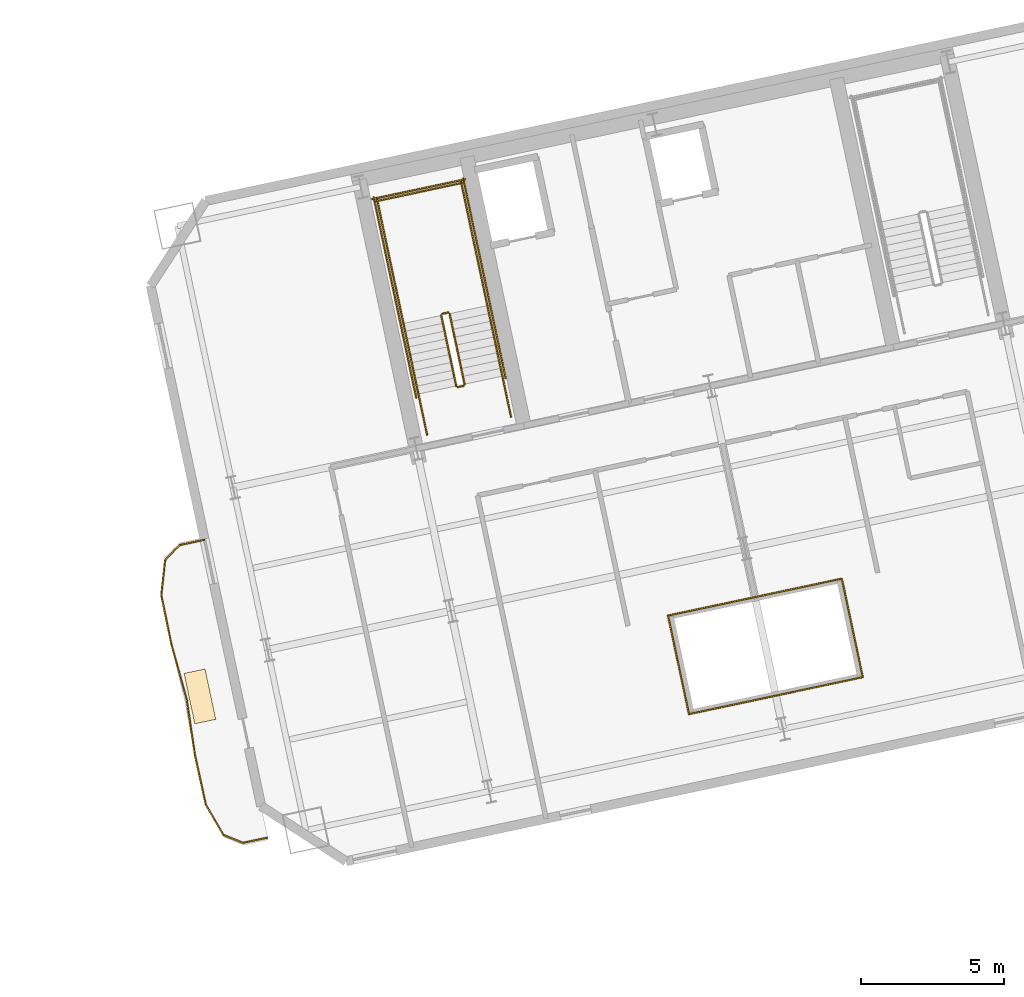
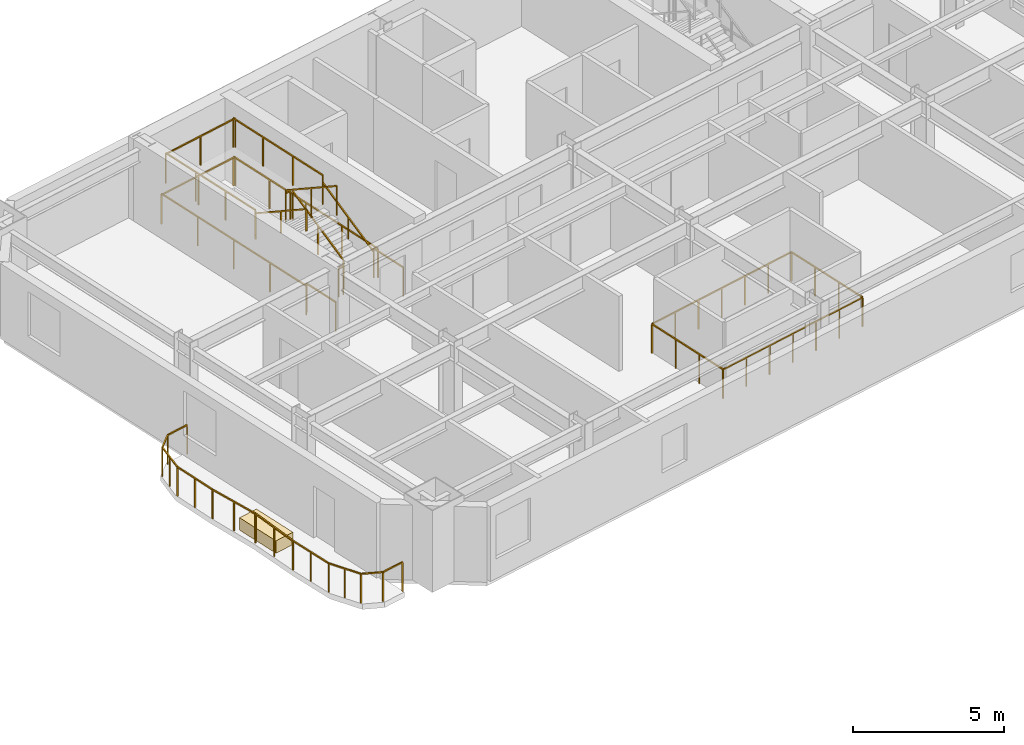
# One storey, part 13 of 14: 28 railings, 1 covering.
"""IFC4 building model written with IfcOpenShell, lengths in metres."""

from ifc_helpers import new_model, si_unit, direction, frame, origin, origin_2d, place, context, subcontext, project, spatial, rectangle, extrude, material, layer, layer_set, type_object, element, save


model = new_model("IFC4")

# Units and contexts
model_context = context("Model", 3, precision=1e-05, world=origin(), true_north=direction((0.0, 1.0)))
body_context = subcontext(model_context, "Body", "Model", "MODEL_VIEW")
ifc_project = project(units=[si_unit("LENGTHUNIT", "METRE"), si_unit("AREAUNIT", "SQUARE_METRE"), si_unit("VOLUMEUNIT", "CUBIC_METRE"), si_unit("PLANEANGLEUNIT", "RADIAN"), si_unit("MASSUNIT", "GRAM", prefix="KILO")], contexts=[model_context])

# Site, building, storey
site_placement = place(None, origin())
site = spatial("IfcSite", under=ifc_project, at=site_placement, CompositionType="ELEMENT")
building_placement = place(site_placement, origin())
building = spatial("IfcBuilding", under=site, at=building_placement, Name="Haevon Station Towers", CompositionType="ELEMENT")
storey_placement = place(building_placement, frame((0.0, 0.0, 119.699951171875)))
storey = spatial("IfcBuildingStorey", under=building, at=storey_placement, Name="L32", CompositionType="ELEMENT", Elevation=119.699951171875)

# Railings
ifc_material_1 = material(Name="Steel S355", Category="steel")
railing_type_1 = type_object("IfcRailingType", Name="BAL-ATR1200", PredefinedType="BALUSTRADE", material=ifc_material_1)
railing_1_placement = place(storey_placement, frame((108.28564453125, 28.16259765625, 0.0)))
element("IfcRailing", 1, at=railing_1_placement, inside=storey, type_object=railing_type_1, Name="L32 Atrium Void Balustrade 1", PredefinedType="BALUSTRADE", context=body_context, shape_type="SweptSolid", body=[
    extrude(rectangle(XDim=0.048095703125, YDim=0.048095703125, at=origin_2d()), frame((0.0, 0.0, 1.17578125), z_axis=(0.978152054879, 0.207890734609, 0.0), x_axis=(-0.207890734609, 0.978152054879, 0.0)), (0.0, 0.0, 1.0), 6.208984375),
    extrude(rectangle(XDim=0.0419921875, YDim=0.0419921875, at=origin_2d()), origin(), (0.0, 0.0, 1.0), 1.15185546875),
    extrude(rectangle(XDim=0.0419921875, YDim=0.0419921875, at=origin_2d()), frame((1.01220703125, 0.215087890625, 0.0)), (0.0, 0.0, 1.0), 1.15185546875),
    extrude(rectangle(XDim=0.0419921875, YDim=0.0419921875, at=origin_2d()), frame((2.0244140625, 0.43017578125, 0.0)), (0.0, 0.0, 1.0), 1.15185546875),
    extrude(rectangle(XDim=0.0419921875, YDim=0.0419921875, at=origin_2d()), frame((3.03662109375, 0.6455078125, 0.0)), (0.0, 0.0, 1.0), 1.15185546875),
    extrude(rectangle(XDim=0.0419921875, YDim=0.0419921875, at=origin_2d()), frame((4.048828125, 0.860595703125, 0.0)), (0.0, 0.0, 1.0), 1.15185546875),
    extrude(rectangle(XDim=0.0419921875, YDim=0.0419921875, at=origin_2d()), frame((5.06103515625, 1.07568359375, 0.0)), (0.0, 0.0, 1.0), 1.15185546875),
    extrude(rectangle(XDim=0.0419921875, YDim=0.0419921875, at=origin_2d()), frame((6.0732421875, 1.290771484375, 0.0)), (0.0, 0.0, 1.0), 1.15185546875),
])
railing_2_placement = place(storey_placement, frame((114.35888671875, 29.453369140625, 0.0)))
element("IfcRailing", 2, at=railing_2_placement, inside=storey, type_object=railing_type_1, Name="L32 Atrium Void Balustrade 2", PredefinedType="BALUSTRADE", context=body_context, shape_type="SweptSolid", body=[
    extrude(rectangle(XDim=0.048095703125, YDim=0.048095703125, at=origin_2d()), frame((0.0, 0.0, 1.17578125), z_axis=(-0.207964983384, 0.978136271532, 0.0), x_axis=(-0.978136271532, -0.207964983384, 0.0)), (0.0, 0.0, 1.0), 3.518310546875),
    extrude(rectangle(XDim=0.0419921875, YDim=0.0419921875, at=origin_2d()), origin(), (0.0, 0.0, 1.0), 1.15185546875),
    extrude(rectangle(XDim=0.0419921875, YDim=0.0419921875, at=origin_2d()), frame((-0.243896484375, 1.147216796875, 0.0)), (0.0, 0.0, 1.0), 1.15185546875),
    extrude(rectangle(XDim=0.0419921875, YDim=0.0419921875, at=origin_2d()), frame((-0.48779296875, 2.294189453125, 0.0)), (0.0, 0.0, 1.0), 1.15185546875),
    extrude(rectangle(XDim=0.0419921875, YDim=0.0419921875, at=origin_2d()), frame((-0.731689453125, 3.44140625, 0.0)), (0.0, 0.0, 1.0), 1.15185546875),
])
railing_3_placement = place(storey_placement, frame((113.627197265625, 32.894775390625, 0.0)))
element("IfcRailing", 3, at=railing_3_placement, inside=storey, type_object=railing_type_1, Name="L32 Atrium Void Balustrade 3", PredefinedType="BALUSTRADE", context=body_context, shape_type="SweptSolid", body=[
    extrude(rectangle(XDim=0.048095703125, YDim=0.048095703125, at=origin_2d()), frame((0.0, 0.0, 1.17578125), z_axis=(-0.978150355379, -0.20789873081, 0.0), x_axis=(0.20789873081, -0.978150355379, 0.0)), (0.0, 0.0, 1.0), 6.208740234375),
    extrude(rectangle(XDim=0.0419921875, YDim=0.0419921875, at=origin_2d()), origin(), (0.0, 0.0, 1.0), 1.15185546875),
    extrude(rectangle(XDim=0.0419921875, YDim=0.0419921875, at=origin_2d()), frame((-1.01220703125, -0.215087890625, 0.0)), (0.0, 0.0, 1.0), 1.15185546875),
    extrude(rectangle(XDim=0.0419921875, YDim=0.0419921875, at=origin_2d()), frame((-2.0244140625, -0.43017578125, 0.0)), (0.0, 0.0, 1.0), 1.15185546875),
    extrude(rectangle(XDim=0.0419921875, YDim=0.0419921875, at=origin_2d()), frame((-3.03662109375, -0.6455078125, 0.0)), (0.0, 0.0, 1.0), 1.15185546875),
    extrude(rectangle(XDim=0.0419921875, YDim=0.0419921875, at=origin_2d()), frame((-4.048583984375, -0.860595703125, 0.0)), (0.0, 0.0, 1.0), 1.15185546875),
    extrude(rectangle(XDim=0.0419921875, YDim=0.0419921875, at=origin_2d()), frame((-5.060791015625, -1.07568359375, 0.0)), (0.0, 0.0, 1.0), 1.15185546875),
    extrude(rectangle(XDim=0.0419921875, YDim=0.0419921875, at=origin_2d()), frame((-6.072998046875, -1.290771484375, 0.0)), (0.0, 0.0, 1.0), 1.15185546875),
])
railing_4_placement = place(storey_placement, frame((107.55419921875, 31.60400390625, 0.0)))
element("IfcRailing", 4, at=railing_4_placement, inside=storey, type_object=railing_type_1, Name="L32 Atrium Void Balustrade 4", PredefinedType="BALUSTRADE", context=body_context, shape_type="SweptSolid", body=[
    extrude(rectangle(XDim=0.048095703125, YDim=0.048095703125, at=origin_2d()), frame((0.0, 0.0, 1.17578125), z_axis=(0.207898592019, -0.978150384878, 0.0), x_axis=(0.978150384878, 0.207898592019, 0.0)), (0.0, 0.0, 1.0), 3.518310546875),
    extrude(rectangle(XDim=0.0419921875, YDim=0.0419921875, at=origin_2d()), origin(), (0.0, 0.0, 1.0), 1.15185546875),
    extrude(rectangle(XDim=0.0419921875, YDim=0.0419921875, at=origin_2d()), frame((0.243896484375, -1.147216796875, 0.0)), (0.0, 0.0, 1.0), 1.15185546875),
    extrude(rectangle(XDim=0.0419921875, YDim=0.0419921875, at=origin_2d()), frame((0.487548828125, -2.294189453125, 0.0)), (0.0, 0.0, 1.0), 1.15185546875),
    extrude(rectangle(XDim=0.0419921875, YDim=0.0419921875, at=origin_2d()), frame((0.7314453125, -3.44140625, 0.0)), (0.0, 0.0, 1.0), 1.15185546875),
])
railing_type_2 = type_object("IfcRailingType", Name="GRD-EXT1200", PredefinedType="GUARDRAIL", material=ifc_material_1)
railing_5_placement = place(storey_placement, frame((91.329833984375, 34.251708984375, 0.0)))
element("IfcRailing", 5, at=railing_5_placement, inside=storey, type_object=railing_type_2, Name="L32 Perimeter Guardrail 1", PredefinedType="GUARDRAIL", context=body_context, shape_type="SweptSolid", body=[
    extrude(rectangle(XDim=0.048095703125, YDim=0.048095703125, at=origin_2d()), frame((0.0, 0.0, 1.17578125), z_axis=(-0.977683060471, -0.210085299981, 0.0), x_axis=(0.210085299981, -0.977683060471, 0.0)), (0.0, 0.0, 1.0), 0.869140625),
    extrude(rectangle(XDim=0.0419921875, YDim=0.0419921875, at=origin_2d()), origin(), (0.0, 0.0, 1.0), 1.15185546875),
    extrude(rectangle(XDim=0.0419921875, YDim=0.0419921875, at=origin_2d()), frame((-0.849853515625, -0.1826171875, 0.0)), (0.0, 0.0, 1.0), 1.15185546875),
])
railing_6_placement = place(storey_placement, frame((90.47998046875, 34.069091796875, 0.0)))
element("IfcRailing", 6, at=railing_6_placement, inside=storey, type_object=railing_type_2, Name="L32 Perimeter Guardrail 2", PredefinedType="GUARDRAIL", context=body_context, shape_type="SweptSolid", body=[
    extrude(rectangle(XDim=0.048095703125, YDim=0.048095703125, at=origin_2d()), frame((0.0, 0.0, 1.17578125), z_axis=(-0.69332819678, -0.720621961607, 0.0), x_axis=(0.720621961607, -0.69332819678, 0.0)), (0.0, 0.0, 1.0), 0.7333984375),
    extrude(rectangle(XDim=0.0419921875, YDim=0.0419921875, at=origin_2d()), origin(), (0.0, 0.0, 1.0), 1.15185546875),
    extrude(rectangle(XDim=0.0419921875, YDim=0.0419921875, at=origin_2d()), frame((-0.508544921875, -0.528564453125, 0.0)), (0.0, 0.0, 1.0), 1.15185546875),
])
railing_7_placement = place(storey_placement, frame((89.971435546875, 33.54052734375, 0.0)))
element("IfcRailing", 7, at=railing_7_placement, inside=storey, type_object=railing_type_2, Name="L32 Perimeter Guardrail 3", PredefinedType="GUARDRAIL", context=body_context, shape_type="SweptSolid", body=[
    extrude(rectangle(XDim=0.048095703125, YDim=0.048095703125, at=origin_2d()), frame((0.0, 0.0, 1.17578125), z_axis=(-0.107863215948, -0.994165744051, 0.0), x_axis=(0.994165744051, -0.107863215948, 0.0)), (0.0, 0.0, 1.0), 1.231201171875),
    extrude(rectangle(XDim=0.0419921875, YDim=0.0419921875, at=origin_2d()), origin(), (0.0, 0.0, 1.0), 1.15185546875),
    extrude(rectangle(XDim=0.0419921875, YDim=0.0419921875, at=origin_2d()), frame((-0.06640625, -0.612060546875, 0.0)), (0.0, 0.0, 1.0), 1.15185546875),
    extrude(rectangle(XDim=0.0419921875, YDim=0.0419921875, at=origin_2d()), frame((-0.1328125, -1.22412109375, 0.0)), (0.0, 0.0, 1.0), 1.15185546875),
])
railing_8_placement = place(storey_placement, frame((89.838623046875, 32.31640625, 0.0)))
element("IfcRailing", 8, at=railing_8_placement, inside=storey, type_object=railing_type_2, Name="L32 Perimeter Guardrail 4", PredefinedType="GUARDRAIL", context=body_context, shape_type="SweptSolid", body=[
    extrude(rectangle(XDim=0.048095703125, YDim=0.048095703125, at=origin_2d()), frame((0.0, 0.0, 1.17578125), z_axis=(0.201373345477, -0.979514561266, 0.0), x_axis=(0.979514561266, 0.201373345477, 0.0)), (0.0, 0.0, 1.0), 1.74951171875),
    extrude(rectangle(XDim=0.0419921875, YDim=0.0419921875, at=origin_2d()), origin(), (0.0, 0.0, 1.0), 1.15185546875),
    extrude(rectangle(XDim=0.0419921875, YDim=0.0419921875, at=origin_2d()), frame((0.17626953125, -0.85693359375, 0.0)), (0.0, 0.0, 1.0), 1.15185546875),
    extrude(rectangle(XDim=0.0419921875, YDim=0.0419921875, at=origin_2d()), frame((0.352294921875, -1.713623046875, 0.0)), (0.0, 0.0, 1.0), 1.15185546875),
])
railing_9_placement = place(storey_placement, frame((90.19091796875, 30.602783203125, 0.0)))
element("IfcRailing", 9, at=railing_9_placement, inside=storey, type_object=railing_type_2, Name="L32 Perimeter Guardrail 5", PredefinedType="GUARDRAIL", context=body_context, shape_type="SweptSolid", body=[
    extrude(rectangle(XDim=0.048095703125, YDim=0.048095703125, at=origin_2d()), frame((0.0, 0.0, 1.17578125), z_axis=(0.268894073519, -0.963169755145, 0.0), x_axis=(0.963169755145, 0.268894073519, 0.0)), (0.0, 0.0, 1.0), 1.993896484375),
    extrude(rectangle(XDim=0.0419921875, YDim=0.0419921875, at=origin_2d()), origin(), (0.0, 0.0, 1.0), 1.15185546875),
    extrude(rectangle(XDim=0.0419921875, YDim=0.0419921875, at=origin_2d()), frame((0.26806640625, -0.960205078125, 0.0)), (0.0, 0.0, 1.0), 1.15185546875),
    extrude(rectangle(XDim=0.0419921875, YDim=0.0419921875, at=origin_2d()), frame((0.5361328125, -1.92041015625, 0.0)), (0.0, 0.0, 1.0), 1.15185546875),
])
railing_10_placement = place(storey_placement, frame((90.72705078125, 28.682373046875, 0.0)))
element("IfcRailing", 10, at=railing_10_placement, inside=storey, type_object=railing_type_2, Name="L32 Perimeter Guardrail 6", PredefinedType="GUARDRAIL", context=body_context, shape_type="SweptSolid", body=[
    extrude(rectangle(XDim=0.048095703125, YDim=0.048095703125, at=origin_2d()), frame((0.0, 0.0, 1.17578125), z_axis=(0.14608267793, -0.98927238474, 0.0), x_axis=(0.98927238474, 0.14608267793, 0.0)), (0.0, 0.0, 1.0), 1.993896484375),
    extrude(rectangle(XDim=0.0419921875, YDim=0.0419921875, at=origin_2d()), origin(), (0.0, 0.0, 1.0), 1.15185546875),
    extrude(rectangle(XDim=0.0419921875, YDim=0.0419921875, at=origin_2d()), frame((0.1455078125, -0.986328125, 0.0)), (0.0, 0.0, 1.0), 1.15185546875),
    extrude(rectangle(XDim=0.0419921875, YDim=0.0419921875, at=origin_2d()), frame((0.291259765625, -1.972412109375, 0.0)), (0.0, 0.0, 1.0), 1.15185546875),
])
railing_11_placement = place(storey_placement, frame((91.018310546875, 26.7099609375, 0.0)))
element("IfcRailing", 11, at=railing_11_placement, inside=storey, type_object=railing_type_2, Name="L32 Perimeter Guardrail 7", PredefinedType="GUARDRAIL", context=body_context, shape_type="SweptSolid", body=[
    extrude(rectangle(XDim=0.048095703125, YDim=0.048095703125, at=origin_2d()), frame((0.0, 0.0, 1.17578125), z_axis=(0.214358584492, -0.976755034415, 0.0), x_axis=(0.976755034415, 0.214358584492, 0.0)), (0.0, 0.0, 1.0), 1.74951171875),
    extrude(rectangle(XDim=0.0419921875, YDim=0.0419921875, at=origin_2d()), origin(), (0.0, 0.0, 1.0), 1.15185546875),
    extrude(rectangle(XDim=0.0419921875, YDim=0.0419921875, at=origin_2d()), frame((0.1875, -0.8544921875, 0.0)), (0.0, 0.0, 1.0), 1.15185546875),
    extrude(rectangle(XDim=0.0419921875, YDim=0.0419921875, at=origin_2d()), frame((0.375, -1.708740234375, 0.0)), (0.0, 0.0, 1.0), 1.15185546875),
])
railing_12_placement = place(storey_placement, frame((91.393310546875, 25.001220703125, 0.0)))
element("IfcRailing", 12, at=railing_12_placement, inside=storey, type_object=railing_type_2, Name="L32 Perimeter Guardrail 8", PredefinedType="GUARDRAIL", context=body_context, shape_type="SweptSolid", body=[
    extrude(rectangle(XDim=0.048095703125, YDim=0.048095703125, at=origin_2d()), frame((0.0, 0.0, 1.17578125), z_axis=(0.503020156583, -0.864274679758, 0.0), x_axis=(0.864274679758, 0.503020156583, 0.0)), (0.0, 0.0, 1.0), 1.2314453125),
    extrude(rectangle(XDim=0.0419921875, YDim=0.0419921875, at=origin_2d()), origin(), (0.0, 0.0, 1.0), 1.15185546875),
    extrude(rectangle(XDim=0.0419921875, YDim=0.0419921875, at=origin_2d()), frame((0.3095703125, -0.5322265625, 0.0)), (0.0, 0.0, 1.0), 1.15185546875),
    extrude(rectangle(XDim=0.0419921875, YDim=0.0419921875, at=origin_2d()), frame((0.619384765625, -1.064208984375, 0.0)), (0.0, 0.0, 1.0), 1.15185546875),
])
railing_13_placement = place(storey_placement, frame((92.0126953125, 23.93701171875, 0.0)))
element("IfcRailing", 13, at=railing_13_placement, inside=storey, type_object=railing_type_2, Name="L32 Perimeter Guardrail 9", PredefinedType="GUARDRAIL", context=body_context, shape_type="SweptSolid", body=[
    extrude(rectangle(XDim=0.048095703125, YDim=0.048095703125, at=origin_2d()), frame((0.0, 0.0, 1.17578125), z_axis=(0.926535491123, -0.376207367937, 0.0), x_axis=(0.376207367937, 0.926535491123, 0.0)), (0.0, 0.0, 1.0), 0.7333984375),
    extrude(rectangle(XDim=0.0419921875, YDim=0.0419921875, at=origin_2d()), origin(), (0.0, 0.0, 1.0), 1.15185546875),
    extrude(rectangle(XDim=0.0419921875, YDim=0.0419921875, at=origin_2d()), frame((0.679443359375, -0.27587890625, 0.0)), (0.0, 0.0, 1.0), 1.15185546875),
])
railing_14_placement = place(storey_placement, frame((92.692138671875, 23.6611328125, 0.0)))
element("IfcRailing", 14, at=railing_14_placement, inside=storey, type_object=railing_type_2, Name="L32 Perimeter Guardrail 10", PredefinedType="GUARDRAIL", context=body_context, shape_type="SweptSolid", body=[
    extrude(rectangle(XDim=0.048095703125, YDim=0.048095703125, at=origin_2d()), frame((0.0, 0.0, 1.17578125), z_axis=(0.978645023674, 0.205557577426, 0.0), x_axis=(-0.205557577426, 0.978645023674, 0.0)), (0.0, 0.0, 1.0), 0.869384765625),
    extrude(rectangle(XDim=0.0419921875, YDim=0.0419921875, at=origin_2d()), origin(), (0.0, 0.0, 1.0), 1.15185546875),
    extrude(rectangle(XDim=0.0419921875, YDim=0.0419921875, at=origin_2d()), frame((0.850830078125, 0.1787109375, 0.0)), (0.0, 0.0, 1.0), 1.15185546875),
])
railing_type_3 = type_object("IfcRailingType", Name="GRD-STR1200", PredefinedType="GUARDRAIL", material=ifc_material_1)
railing_15_placement = place(storey_placement, frame((100.44140625, 39.69287109375, 0.1650390625)))
element("IfcRailing", 15, at=railing_15_placement, inside=storey, type_object=railing_type_3, Name="L32 ST3 Stair Guard 1", PredefinedType="GUARDRAIL", context=body_context, shape_type="SweptSolid", body=[
    extrude(rectangle(XDim=0.048095703125, YDim=0.048095703125, at=origin_2d()), frame((0.0, 0.0, 1.17578125), z_axis=(-0.179121265225, 0.842687928106, 0.507732831485), x_axis=(-0.978147030254, -0.207914374695, 0.0)), (0.0, 0.0, 1.0), 2.925048828125),
    extrude(rectangle(XDim=0.0419921875, YDim=0.0419921875, at=origin_2d()), origin(), (0.0, 0.0, 1.0), 1.15185546875),
    extrude(rectangle(XDim=0.0419921875, YDim=0.0419921875, at=origin_2d()), frame((-0.261962890625, 1.232421875, 0.74267578125)), (0.0, 0.0, 1.0), 1.15185546875),
    extrude(rectangle(XDim=0.0419921875, YDim=0.0419921875, at=origin_2d()), frame((-0.52392578125, 2.46484375, 1.485107421875)), (0.0, 0.0, 1.0), 1.15185546875),
])
railing_16_placement = place(storey_placement, frame((99.858154296875, 42.1962890625, 1.650146484375)))
element("IfcRailing", 16, at=railing_16_placement, inside=storey, type_object=railing_type_3, Name="L32 ST3 Stair Guard 2", PredefinedType="GUARDRAIL", context=body_context, shape_type="SweptSolid", body=[
    extrude(rectangle(XDim=0.048095703125, YDim=0.048095703125, at=origin_2d()), frame((0.0, 0.0, 1.17578125), z_axis=(-0.977962931203, -0.208778603291, 0.0), x_axis=(0.208778603291, -0.977962931203, 0.0)), (0.0, 0.0, 1.0), 0.199951171875),
    extrude(rectangle(XDim=0.0419921875, YDim=0.0419921875, at=origin_2d()), origin(), (0.0, 0.0, 1.0), 1.15185546875),
    extrude(rectangle(XDim=0.0419921875, YDim=0.0419921875, at=origin_2d()), frame((-0.195556640625, -0.041748046875, 0.0)), (0.0, 0.0, 1.0), 1.15185546875),
])
railing_17_placement = place(storey_placement, frame((101.238037109375, 42.4384765625, 1.650146484375)))
element("IfcRailing", 17, at=railing_17_placement, inside=storey, type_object=railing_type_3, Name="L32 ST3 Stair Guard 3", PredefinedType="GUARDRAIL", context=body_context, shape_type="SweptSolid", body=[
    extrude(rectangle(XDim=0.048095703125, YDim=0.048095703125, at=origin_2d()), frame((0.0, 0.0, 1.17578125), z_axis=(-0.20794048909, 0.978141479029, 0.0), x_axis=(-0.978141479029, -0.20794048909, 0.0)), (0.0, 0.0, 1.0), 4.429931640625),
    extrude(rectangle(XDim=0.0419921875, YDim=0.0419921875, at=origin_2d()), origin(), (0.0, 0.0, 1.0), 1.15185546875),
    extrude(rectangle(XDim=0.0419921875, YDim=0.0419921875, at=origin_2d()), frame((-0.30712890625, 1.4443359375, 0.0)), (0.0, 0.0, 1.0), 1.15185546875),
    extrude(rectangle(XDim=0.0419921875, YDim=0.0419921875, at=origin_2d()), frame((-0.614013671875, 2.888671875, 0.0)), (0.0, 0.0, 1.0), 1.15185546875),
    extrude(rectangle(XDim=0.0419921875, YDim=0.0419921875, at=origin_2d()), frame((-0.921142578125, 4.3330078125, 0.0)), (0.0, 0.0, 1.0), 1.15185546875),
])
railing_18_placement = place(storey_placement, frame((98.303466796875, 41.814697265625, 1.650146484375)))
element("IfcRailing", 18, at=railing_18_placement, inside=storey, type_object=railing_type_3, Name="L32 ST3 Stair Guard 4", PredefinedType="GUARDRAIL", context=body_context, shape_type="SweptSolid", body=[
    extrude(rectangle(XDim=0.048095703125, YDim=0.048095703125, at=origin_2d()), frame((0.0, 0.0, 1.17578125), z_axis=(-0.207876551949, 0.978155069071, 0.0), x_axis=(-0.978155069071, -0.207876551949, 0.0)), (0.0, 0.0, 1.0), 4.429931640625),
    extrude(rectangle(XDim=0.0419921875, YDim=0.0419921875, at=origin_2d()), origin(), (0.0, 0.0, 1.0), 1.15185546875),
    extrude(rectangle(XDim=0.0419921875, YDim=0.0419921875, at=origin_2d()), frame((-0.306884765625, 1.4443359375, 0.0)), (0.0, 0.0, 1.0), 1.15185546875),
    extrude(rectangle(XDim=0.0419921875, YDim=0.0419921875, at=origin_2d()), frame((-0.614013671875, 2.888916015625, 0.0)), (0.0, 0.0, 1.0), 1.15185546875),
    extrude(rectangle(XDim=0.0419921875, YDim=0.0419921875, at=origin_2d()), frame((-0.9208984375, 4.333251953125, 0.0)), (0.0, 0.0, 1.0), 1.15185546875),
])
railing_19_placement = place(storey_placement, frame((100.376220703125, 46.733154296875, 1.650146484375)))
element("IfcRailing", 19, at=railing_19_placement, inside=storey, type_object=railing_type_3, Name="L32 ST3 Stair Guard 5", PredefinedType="GUARDRAIL", context=body_context, shape_type="SweptSolid", body=[
    extrude(rectangle(XDim=0.048095703125, YDim=0.048095703125, at=origin_2d()), frame((0.0, 0.0, 1.17578125), z_axis=(-0.978146839882, -0.207915270313, 0.0), x_axis=(0.207915270313, -0.978146839882, 0.0)), (0.0, 0.0, 1.0), 3.099853515625),
    extrude(rectangle(XDim=0.0419921875, YDim=0.0419921875, at=origin_2d()), origin(), (0.0, 0.0, 1.0), 1.15185546875),
    extrude(rectangle(XDim=0.0419921875, YDim=0.0419921875, at=origin_2d()), frame((-1.51611328125, -0.322265625, 0.0)), (0.0, 0.0, 1.0), 1.15185546875),
    extrude(rectangle(XDim=0.0419921875, YDim=0.0419921875, at=origin_2d()), frame((-3.0322265625, -0.64453125, 0.0)), (0.0, 0.0, 1.0), 1.15185546875),
])
railing_20_placement = place(storey_placement, frame((99.6240234375, 42.09521484375, 1.81494140625)))
element("IfcRailing", 20, at=railing_20_placement, inside=storey, type_object=railing_type_3, Name="L32 ST3 Stair Guard 6", PredefinedType="GUARDRAIL", context=body_context, shape_type="SweptSolid", body=[
    extrude(rectangle(XDim=0.048095703125, YDim=0.048095703125, at=origin_2d()), frame((0.0, 0.0, 1.17578125), z_axis=(0.179121265225, -0.842687928106, 0.507732831485), x_axis=(0.978147030254, 0.207914374695, 0.0)), (0.0, 0.0, 1.0), 2.925048828125),
    extrude(rectangle(XDim=0.0419921875, YDim=0.0419921875, at=origin_2d()), origin(), (0.0, 0.0, 1.0), 1.15185546875),
    extrude(rectangle(XDim=0.0419921875, YDim=0.0419921875, at=origin_2d()), frame((0.261962890625, -1.232421875, 0.74267578125)), (0.0, 0.0, 1.0), 1.15185546875),
    extrude(rectangle(XDim=0.0419921875, YDim=0.0419921875, at=origin_2d()), frame((0.52392578125, -2.46484375, 1.485107421875)), (0.0, 0.0, 1.0), 1.15185546875),
])
railing_21_placement = place(storey_placement, frame((100.40283203125, 39.633544921875, 0.0)))
element("IfcRailing", 21, at=railing_21_placement, inside=storey, type_object=railing_type_3, Name="L32 ST3 Stair Guard 7", PredefinedType="GUARDRAIL", context=body_context, shape_type="SweptSolid", body=[
    extrude(rectangle(XDim=0.048095703125, YDim=0.048095703125, at=origin_2d()), frame((0.0, 0.0, 1.17578125), z_axis=(-0.977962931203, -0.208778603291, 0.0), x_axis=(0.208778603291, -0.977962931203, 0.0)), (0.0, 0.0, 1.0), 0.199951171875),
    extrude(rectangle(XDim=0.0419921875, YDim=0.0419921875, at=origin_2d()), origin(), (0.0, 0.0, 1.0), 1.15185546875),
    extrude(rectangle(XDim=0.0419921875, YDim=0.0419921875, at=origin_2d()), frame((-0.195556640625, -0.041748046875, 0.0)), (0.0, 0.0, 1.0), 1.15185546875),
])
for number, where, name in (
    (22, (102.0634765625, 38.55517578125, 0.0), "L32 ST3 Stair Guard 8"),
    (23, (99.12890625, 37.931396484375, 0.0), "L32 ST3 Stair Guard 9"),
):
    element("IfcRailing", number, at=place(storey_placement, frame(where)), inside=storey, type_object=railing_type_3, Name=name, PredefinedType="GUARDRAIL", context=body_context, shape_type="SweptSolid", body=[
        extrude(rectangle(XDim=0.048095703125, YDim=0.048095703125, at=origin_2d()), frame((0.0, 0.0, 1.17578125), z_axis=(-0.207953405961, 0.978138732977, 0.0), x_axis=(-0.978138732977, -0.207953405961, 0.0)), (0.0, 0.0, 1.0), 1.449951171875),
        extrude(rectangle(XDim=0.0419921875, YDim=0.0419921875, at=origin_2d()), origin(), (0.0, 0.0, 1.0), 1.15185546875),
        extrude(rectangle(XDim=0.0419921875, YDim=0.0419921875, at=origin_2d()), frame((-0.301513671875, 1.418212890625, 0.0)), (0.0, 0.0, 1.0), 1.15185546875),
    ])
railing_22_placement = place(storey_placement, frame((101.88037109375, 39.896484375, 0.0)))
element("IfcRailing", 24, at=railing_22_placement, inside=storey, type_object=railing_type_3, Name="L32 ST3 Stair Guard 10", PredefinedType="GUARDRAIL", context=body_context, shape_type="SweptSolid", body=[
    extrude(rectangle(XDim=0.048095703125, YDim=0.048095703125, at=origin_2d()), frame((0.0, 0.0, 1.17578125), z_axis=(-0.207882442208, 0.978153817261, 0.0), x_axis=(-0.978153817261, -0.207882442208, 0.0)), (0.0, 0.0, 1.0), 7.14990234375),
    extrude(rectangle(XDim=0.0419921875, YDim=0.0419921875, at=origin_2d()), origin(), (0.0, 0.0, 1.0), 1.15185546875),
    extrude(rectangle(XDim=0.0419921875, YDim=0.0419921875, at=origin_2d()), frame((-0.37158203125, 1.74853515625, 0.0)), (0.0, 0.0, 1.0), 1.15185546875),
    extrude(rectangle(XDim=0.0419921875, YDim=0.0419921875, at=origin_2d()), frame((-0.7431640625, 3.496826171875, 0.0)), (0.0, 0.0, 1.0), 1.15185546875),
    extrude(rectangle(XDim=0.0419921875, YDim=0.0419921875, at=origin_2d()), frame((-1.11474609375, 5.2451171875, 0.0)), (0.0, 0.0, 1.0), 1.15185546875),
    extrude(rectangle(XDim=0.0419921875, YDim=0.0419921875, at=origin_2d()), frame((-1.486328125, 6.99365234375, 0.0)), (0.0, 0.0, 1.0), 1.15185546875),
])
railing_23_placement = place(storey_placement, frame((98.75048828125, 39.231201171875, 0.0)))
element("IfcRailing", 25, at=railing_23_placement, inside=storey, type_object=railing_type_3, Name="L32 ST3 Stair Guard 11", PredefinedType="GUARDRAIL", context=body_context, shape_type="SweptSolid", body=[
    extrude(rectangle(XDim=0.048095703125, YDim=0.048095703125, at=origin_2d()), frame((0.0, 0.0, 1.17578125), z_axis=(-0.207915112487, 0.978146873429, 0.0), x_axis=(-0.978146873429, -0.207915112487, 0.0)), (0.0, 0.0, 1.0), 7.14990234375),
    extrude(rectangle(XDim=0.0419921875, YDim=0.0419921875, at=origin_2d()), origin(), (0.0, 0.0, 1.0), 1.15185546875),
    extrude(rectangle(XDim=0.0419921875, YDim=0.0419921875, at=origin_2d()), frame((-0.37158203125, 1.74853515625, 0.0)), (0.0, 0.0, 1.0), 1.15185546875),
    extrude(rectangle(XDim=0.0419921875, YDim=0.0419921875, at=origin_2d()), frame((-0.7431640625, 3.496826171875, 0.0)), (0.0, 0.0, 1.0), 1.15185546875),
    extrude(rectangle(XDim=0.0419921875, YDim=0.0419921875, at=origin_2d()), frame((-1.114990234375, 5.2451171875, 0.0)), (0.0, 0.0, 1.0), 1.15185546875),
    extrude(rectangle(XDim=0.0419921875, YDim=0.0419921875, at=origin_2d()), frame((-1.486572265625, 6.99365234375, 0.0)), (0.0, 0.0, 1.0), 1.15185546875),
])
railing_24_placement = place(storey_placement, frame((100.453125, 46.8515625, 0.0)))
element("IfcRailing", 26, at=railing_24_placement, inside=storey, type_object=railing_type_3, Name="L32 ST3 Stair Guard 12", PredefinedType="GUARDRAIL", context=body_context, shape_type="SweptSolid", body=[
    extrude(rectangle(XDim=0.048095703125, YDim=0.048095703125, at=origin_2d()), frame((0.0, 0.0, 1.17578125), z_axis=(-0.978150764849, -0.207896804268, 0.0), x_axis=(0.207896804268, -0.978150764849, 0.0)), (0.0, 0.0, 1.0), 3.2998046875),
    extrude(rectangle(XDim=0.0419921875, YDim=0.0419921875, at=origin_2d()), origin(), (0.0, 0.0, 1.0), 1.15185546875),
    extrude(rectangle(XDim=0.0419921875, YDim=0.0419921875, at=origin_2d()), frame((-1.61376953125, -0.343017578125, 0.0)), (0.0, 0.0, 1.0), 1.15185546875),
    extrude(rectangle(XDim=0.0419921875, YDim=0.0419921875, at=origin_2d()), frame((-3.227783203125, -0.68603515625, 0.0)), (0.0, 0.0, 1.0), 1.15185546875),
])
railing_type_4 = type_object("IfcRailingType", Name="HND-STR900", PredefinedType="HANDRAIL", material=ifc_material_1)
railing_25_placement = place(storey_placement, frame((101.761962890625, 39.973388671875, 0.1650390625)))
element("IfcRailing", 27, at=railing_25_placement, inside=storey, type_object=railing_type_4, Name="L32 ST3 Stair Handrail 1", PredefinedType="HANDRAIL", context=body_context, shape_type="SweptSolid", body=[
    extrude(rectangle(XDim=0.048095703125, YDim=0.048095703125, at=origin_2d()), frame((0.0, 0.0, 0.8759765625), z_axis=(-0.179108667068, 0.842712120868, 0.50769712105), x_axis=(-0.978151217824, -0.207894673017, 0.0)), (0.0, 0.0, 1.0), 2.92529296875),
    extrude(rectangle(XDim=0.0419921875, YDim=0.0419921875, at=origin_2d()), origin(), (0.0, 0.0, 1.0), 0.851806640625),
    extrude(rectangle(XDim=0.0419921875, YDim=0.0419921875, at=origin_2d()), frame((-0.261962890625, 1.232421875, 0.74267578125)), (0.0, 0.0, 1.0), 0.851806640625),
    extrude(rectangle(XDim=0.0419921875, YDim=0.0419921875, at=origin_2d()), frame((-0.52392578125, 2.465087890625, 1.485107421875)), (0.0, 0.0, 1.0), 0.851806640625),
])
railing_26_placement = place(storey_placement, frame((98.303466796875, 41.814697265625, 1.81494140625)))
element("IfcRailing", 28, at=railing_26_placement, inside=storey, type_object=railing_type_4, Name="L32 ST3 Stair Handrail 2", PredefinedType="HANDRAIL", context=body_context, shape_type="SweptSolid", body=[
    extrude(rectangle(XDim=0.048095703125, YDim=0.048095703125, at=origin_2d()), frame((0.0, 0.0, 0.8759765625), z_axis=(0.179108667068, -0.842712120868, 0.50769712105), x_axis=(0.978151217824, 0.207894673017, 0.0)), (0.0, 0.0, 1.0), 2.92529296875),
    extrude(rectangle(XDim=0.0419921875, YDim=0.0419921875, at=origin_2d()), origin(), (0.0, 0.0, 1.0), 0.851806640625),
    extrude(rectangle(XDim=0.0419921875, YDim=0.0419921875, at=origin_2d()), frame((0.261962890625, -1.232421875, 0.74267578125)), (0.0, 0.0, 1.0), 0.851806640625),
    extrude(rectangle(XDim=0.0419921875, YDim=0.0419921875, at=origin_2d()), frame((0.52392578125, -2.465087890625, 1.485107421875)), (0.0, 0.0, 1.0), 0.851806640625),
])

# Covering
ifc_material_2 = material(Name="Architectural planter GRC", Category="concrete")
ifc_layer = layer(ifc_material_2, 0.550048828125)
ifc_layer_set = layer_set([ifc_layer], Name="Architectural planter GRC")
covering_type = type_object("IfcCoveringType", Name="PLN-GRC550", PredefinedType="MOLDING", material=ifc_layer_set)
covering_placement = place(storey_placement, frame((91.190185546875, 28.78076171875, 0.0), z_axis=(0.0, 0.0, 1.0), x_axis=(0.978147600734, 0.207911690818, 0.0)))
element("IfcCovering", 29, at=covering_placement, inside=storey, type_object=covering_type, Name="Tower 2 L32 Scalloped Balcony PLANTER", PredefinedType="MOLDING", context=body_context, shape_type="SweptSolid", body=[
    extrude(rectangle(XDim=0.75, YDim=1.800048828125, at=origin_2d()), origin(), (0.0, 0.0, 1.0), 0.5),
])

save(model, "model.ifc")
